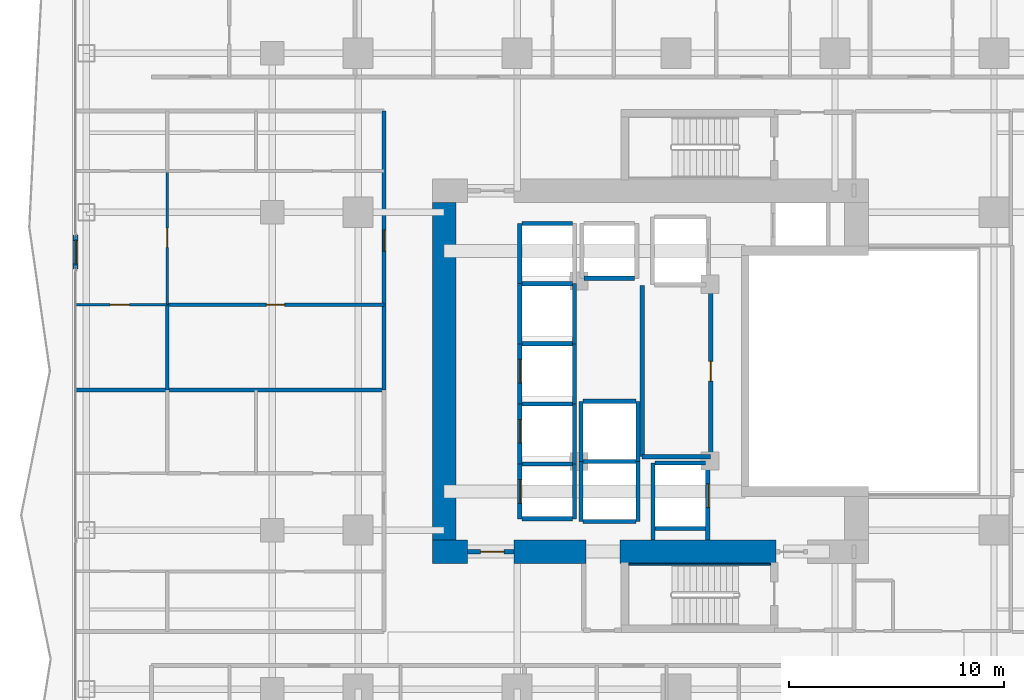
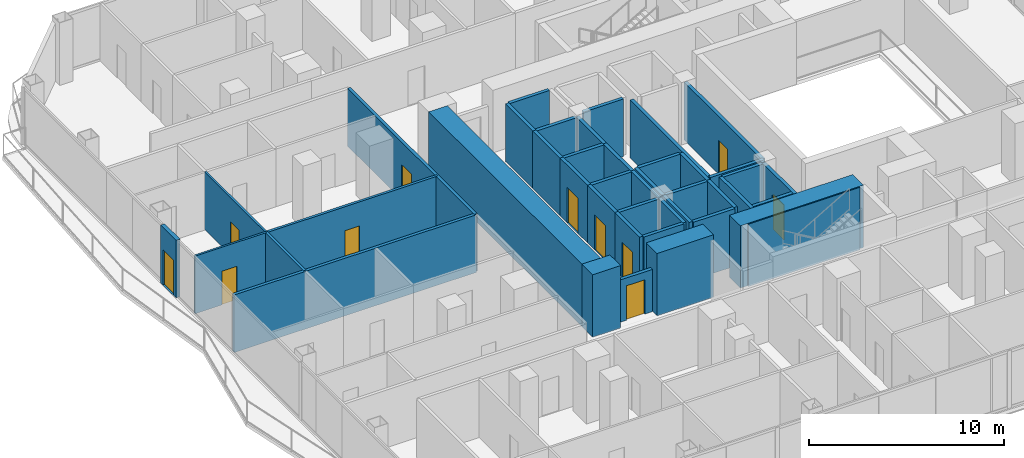
# One storey, part 20 of 29: 43 walls, 11 doors, 11 openings.
"""IFC4 building model written with IfcOpenShell, lengths in metres."""

from ifc_helpers import new_model, si_unit, direction, frame, frame_2d, origin, place, context, subcontext, project, spatial, rectangle, extrude, material, layer, layer_set, type_object, element, fill, save


model = new_model("IFC4")

# Units and contexts
model_context = context("Model", 3, precision=1e-05, world=origin(), true_north=direction((0.0, 1.0)))
body_context = subcontext(model_context, "Body", "Model", "MODEL_VIEW")
ifc_project = project(units=[si_unit("LENGTHUNIT", "METRE"), si_unit("AREAUNIT", "SQUARE_METRE"), si_unit("VOLUMEUNIT", "CUBIC_METRE"), si_unit("PLANEANGLEUNIT", "RADIAN"), si_unit("MASSUNIT", "GRAM", prefix="KILO")], contexts=[model_context])

# Site, building, storey
site_placement = place(None, origin())
site = spatial("IfcSite", under=ifc_project, at=site_placement, CompositionType="ELEMENT")
building_placement = place(site_placement, origin())
building = spatial("IfcBuilding", under=site, at=building_placement, Name="Khorvyn Point Tower", CompositionType="ELEMENT")
storey_placement = place(building_placement, frame((0.0, 0.0, 73.5)))
storey = spatial("IfcBuildingStorey", under=building, at=storey_placement, Name="L19", CompositionType="ELEMENT", Elevation=73.5)

# Wall, opening, door
ifc_material_1 = material(Name="Double acoustic gypsum on twin steel stud", Category="steel")
ifc_layer_1 = layer(ifc_material_1, 0.179931640625)
ifc_layer_set_1 = layer_set([ifc_layer_1], Name="Acoustic Double-Stud Apartment Demising Wall 180")
wall_type_1 = type_object("IfcWallType", Name="Acoustic Double-Stud Apartment Demising Wall 180", PredefinedType="PARTITIONING", material=ifc_layer_set_1)
wall_1_placement = place(storey_placement, frame((-13.60009765625, -0.873046875, 0.0), z_axis=(0.0, 0.0, 1.0), x_axis=(0.0, 1.0, 0.0)))
wall_1 = element("IfcWall", 1, at=wall_1_placement, inside=storey, type_object=wall_type_1, Name="Wall", PredefinedType="PARTITIONING", context=body_context, shape_type="SweptSolid", body=[
    extrude(rectangle(XDim=12.9931640625, YDim=0.179931640625, at=frame_2d((6.49658203125, 0.0))), origin(), (0.0, 0.0, 1.0), 3.60009765625),
])
opening_1_placement = place(wall_1_placement, frame((6.445556640625, 0.0, 0.0)))
opening_1 = element("IfcOpeningElement", 2, at=opening_1_placement, cuts=wall_1, Name="Opening ID-AP60", PredefinedType="OPENING", context=body_context, shape_type="SweptSolid", body=[
    extrude(rectangle(XDim=1.0, YDim=2.199951171875, at=frame_2d((0.5, 1.10009765625))), frame((0.0, 0.099853515625, 0.0), z_axis=(0.0, -1.0, 0.0), x_axis=(1.0, 0.0, 0.0)), (0.0, 0.0, 1.0), 0.199951171875),
])
ifc_material_2 = material(Name="Engineered hardwood fire-rated leaf", Category="wood")
door_type_1 = type_object("IfcDoorType", Name="Acoustic Solid-Core Timber Apartment Entrance Door 1000x2200", OperationType="NOTDEFINED", PredefinedType="DOOR", material=ifc_material_2)
door_1_placement = place(opening_1_placement, origin())
door_1 = element("IfcDoor", 3, at=door_1_placement, inside=storey, type_object=door_type_1, Name="Door", OperationType="SINGLE_SWING_LEFT", OverallHeight=2.199951171875, OverallWidth=1.0, PredefinedType="DOOR", context=body_context, shape_type="SweptSolid", body=[
    extrude(rectangle(XDim=1.0, YDim=2.199951171875, at=frame_2d((0.5, 1.10009765625))), frame((0.0, 0.02490234375, 0.0), z_axis=(0.0, -1.0, 0.0), x_axis=(1.0, 0.0, 0.0)), (0.0, 0.0, 1.0), 0.050048828125),
])
fill(opening_1, door_1)

# Wall
wall_2_placement = place(storey_placement, frame((-27.929931640625, -0.873046875, 0.0), z_axis=(0.0, 0.0, 1.0), x_axis=(1.0, 0.0, 0.0)))
element("IfcWall", 4, at=wall_2_placement, inside=storey, type_object=wall_type_1, Name="Wall", PredefinedType="PARTITIONING", context=body_context, shape_type="SweptSolid", body=[
    extrude(rectangle(XDim=14.329833984375, YDim=0.179931640625, at=frame_2d((7.1650390625, 0.0))), origin(), (0.0, 0.0, 1.0), 3.60009765625),
])

# Wall, opening, door
ifc_material_3 = material(Name="Pale anodised aluminium rainscreen on steel stud", Category="steel")
ifc_layer_2 = layer(ifc_material_3, 0.239990234375)
ifc_layer_set_2 = layer_set([ifc_layer_2], Name="Anodised Aluminium Insulated Corner Spandrel Wall 240")
wall_type_2 = type_object("IfcWallType", Name="Anodised Aluminium Insulated Corner Spandrel Wall 240", PredefinedType="SOLIDWALL", material=ifc_layer_set_2)
wall_3_placement = place(storey_placement, frame((-27.949951171875, 4.7490234375, 0.0), z_axis=(0.0, 0.0, 1.0), x_axis=(0.0, 1.0, 0.0)))
wall_3 = element("IfcWall", 5, at=wall_3_placement, inside=storey, type_object=wall_type_2, Name="L19 West Outdoor Threshold Wall", PredefinedType="SOLIDWALL", context=body_context, shape_type="SweptSolid", body=[
    extrude(rectangle(XDim=1.580078125, YDim=0.239990234375, at=frame_2d((0.7900390625, 0.0))), origin(), (0.0, 0.0, 1.0), 3.60009765625),
])
opening_2_placement = place(wall_3_placement, frame((0.239990234375, 0.0, 0.0)))
opening_2 = element("IfcOpeningElement", 6, at=opening_2_placement, cuts=wall_3, Name="Opening BD-1122", PredefinedType="OPENING", context=body_context, shape_type="SweptSolid", body=[
    extrude(rectangle(XDim=1.10009765625, YDim=2.199951171875, at=frame_2d((0.550048828125, 1.10009765625))), frame((0.0, 0.1298828125, 0.0), z_axis=(0.0, -1.0, 0.0), x_axis=(1.0, 0.0, 0.0)), (0.0, 0.0, 1.0), 0.260009765625),
])
ifc_material_4 = material(Name="Anodised aluminium 6063-T6 and laminated Low-E glass", Category="aluminium")
door_type_2 = type_object("IfcDoorType", Name="Glazed Balcony and Terrace Threshold Door 1100x2200", OperationType="NOTDEFINED", PredefinedType="DOOR", material=ifc_material_4)
door_2_placement = place(opening_2_placement, origin())
door_2 = element("IfcDoor", 7, at=door_2_placement, inside=storey, type_object=door_type_2, Name="L19 West Glazed Balcony Outdoor Door", OperationType="SINGLE_SWING_RIGHT", OverallHeight=2.199951171875, OverallWidth=1.10009765625, PredefinedType="DOOR", context=body_context, shape_type="SweptSolid", body=[
    extrude(rectangle(XDim=1.10009765625, YDim=2.199951171875, at=frame_2d((0.550048828125, 1.10009765625))), frame((0.0, 0.02490234375, 0.0), z_axis=(0.0, -1.0, 0.0), x_axis=(1.0, 0.0, 0.0)), (0.0, 0.0, 1.0), 0.050048828125),
])
fill(opening_2, door_2)

ifc_material_5 = material(Name="Concrete C40/50", Category="concrete")
ifc_layer_3 = layer(ifc_material_5, 0.199951171875)
ifc_layer_set_3 = layer_set([ifc_layer_3], Name="Concrete C40/50 Fire-Lobby Compartment Wall 200")
wall_type_3 = type_object("IfcWallType", Name="Concrete C40/50 Fire-Lobby Compartment Wall 200", PredefinedType="SOLIDWALL", material=ifc_layer_set_3)
wall_4_placement = place(storey_placement, frame((-9.699951171875, -8.39990234375, 0.0), z_axis=(0.0, 0.0, 1.0), x_axis=(1.0, 0.0, 0.0)))
wall_4 = element("IfcWall", 8, at=wall_4_placement, inside=storey, type_object=wall_type_3, Name="Wall", PredefinedType="SOLIDWALL", context=body_context, shape_type="SweptSolid", body=[
    extrude(rectangle(XDim=2.14990234375, YDim=0.199951171875, at=frame_2d((1.074951171875, 0.0))), origin(), (0.0, 0.0, 1.0), 2.639892578125),
])
opening_3_placement = place(wall_4_placement, frame((0.597900390625, 0.0, 0.0)))
opening_3 = element("IfcOpeningElement", 9, at=opening_3_placement, cuts=wall_4, Name="Opening ID-FL90", PredefinedType="OPENING", context=body_context, shape_type="SweptSolid", body=[
    extrude(rectangle(XDim=1.10009765625, YDim=2.14990234375, at=frame_2d((0.550048828125, 1.074951171875))), frame((0.0, 0.10986328125, 0.0), z_axis=(0.0, -1.0, 0.0), x_axis=(1.0, 0.0, 0.0)), (0.0, 0.0, 1.0), 0.219970703125),
])
ifc_material_6 = material(Name="Galvanised powder-coated steel", Category="steel")
door_type_3 = type_object("IfcDoorType", Name="Fire-Rated Steel Lobby and Stair Door 1100x2150", OperationType="NOTDEFINED", PredefinedType="DOOR", material=ifc_material_6)
door_3_placement = place(opening_3_placement, origin())
door_3 = element("IfcDoor", 10, at=door_3_placement, inside=storey, type_object=door_type_3, Name="Door", OperationType="SINGLE_SWING_RIGHT", OverallHeight=2.14990234375, OverallWidth=1.10009765625, PredefinedType="DOOR", context=body_context, shape_type="SweptSolid", body=[
    extrude(rectangle(XDim=1.10009765625, YDim=2.14990234375, at=frame_2d((0.550048828125, 1.074951171875))), frame((0.0, 0.02490234375, 0.0), z_axis=(0.0, -1.0, 0.0), x_axis=(1.0, 0.0, 0.0)), (0.0, 0.0, 1.0), 0.050048828125),
])
fill(opening_3, door_3)

wall_5_placement = place(storey_placement, frame((1.610107421875, -3.97998046875, 0.0), z_axis=(0.0, 0.0, 1.0), x_axis=(0.0, 1.0, 0.0)))
wall_5 = element("IfcWall", 11, at=wall_5_placement, inside=storey, type_object=wall_type_3, Name="Wall", PredefinedType="SOLIDWALL", context=body_context, shape_type="SweptSolid", body=[
    extrude(rectangle(XDim=7.9599609375, YDim=0.199951171875, at=frame_2d((3.97998046875, 0.0))), origin(), (0.0, 0.0, 1.0), 3.60009765625),
])
opening_4_placement = place(wall_5_placement, frame((3.52001953125, 0.0, 0.0)))
opening_4 = element("IfcOpeningElement", 12, at=opening_4_placement, cuts=wall_5, Name="Opening ID-RS60", PredefinedType="OPENING", context=body_context, shape_type="SweptSolid", body=[
    extrude(rectangle(XDim=0.919921875, YDim=2.10009765625, at=frame_2d((0.4599609375, 1.050048828125))), frame((0.0, 0.10986328125, 0.0), z_axis=(0.0, -1.0, 0.0), x_axis=(1.0, 0.0, 0.0)), (0.0, 0.0, 1.0), 0.219970703125),
])
door_type_4 = type_object("IfcDoorType", Name="Fire-Rated Riser and Store Steel Door 920x2100", OperationType="NOTDEFINED", PredefinedType="DOOR", material=ifc_material_6)
door_4_placement = place(opening_4_placement, origin())
door_4 = element("IfcDoor", 13, at=door_4_placement, inside=storey, type_object=door_type_4, Name="Door", OperationType="SINGLE_SWING_LEFT", OverallHeight=2.10009765625, OverallWidth=0.919921875, PredefinedType="DOOR", context=body_context, shape_type="SweptSolid", body=[
    extrude(rectangle(XDim=0.919921875, YDim=2.10009765625, at=frame_2d((0.4599609375, 1.050048828125))), frame((0.0, 0.02490234375, 0.0), z_axis=(0.0, -1.0, 0.0), x_axis=(1.0, 0.0, 0.0)), (0.0, 0.0, 1.0), 0.050048828125),
])
fill(opening_4, door_4)

# Walls
wall_6_placement = place(storey_placement, frame((-1.580078125, -3.97998046875, 0.0), z_axis=(0.0, 0.0, 1.0), x_axis=(0.0, 1.0, 0.0)))
element("IfcWall", 14, at=wall_6_placement, inside=storey, type_object=wall_type_3, Name="Wall", PredefinedType="SOLIDWALL", context=body_context, shape_type="SweptSolid", body=[
    extrude(rectangle(XDim=7.9599609375, YDim=0.199951171875, at=frame_2d((3.97998046875, 0.0))), origin(), (0.0, 0.0, 1.0), 3.60009765625),
])
wall_7_placement = place(storey_placement, frame((-1.580078125, -3.97998046875, 0.0), z_axis=(0.0, 0.0, 1.0), x_axis=(1.0, 0.0, 0.0)))
element("IfcWall", 15, at=wall_7_placement, inside=storey, type_object=wall_type_3, Name="Wall", PredefinedType="SOLIDWALL", context=body_context, shape_type="SweptSolid", body=[
    extrude(rectangle(XDim=3.190185546875, YDim=0.199951171875, at=frame_2d((1.59521484375, 0.0))), origin(), (0.0, 0.0, 1.0), 3.60009765625),
])
ifc_layer_4 = layer(ifc_material_5, 0.25)
ifc_layer_set_4 = layer_set([ifc_layer_4], Name="Concrete C40/50 Stair Inner Cheek Structural Wall 250")
wall_type_4 = type_object("IfcWallType", Name="Concrete C40/50 Stair Inner Cheek Structural Wall 250", PredefinedType="SHEAR", material=ifc_layer_set_4)
wall_8_placement = place(storey_placement, frame((-2.199951171875, -8.987548828125, 0.0), z_axis=(0.0, 0.0, 1.0), x_axis=(1.0, 0.0, 0.0)))
element("IfcWall", 16, at=wall_8_placement, inside=storey, type_object=wall_type_4, Name="Wall", PredefinedType="SHEAR", context=body_context, shape_type="SweptSolid", body=[
    extrude(rectangle(XDim=6.599853515625, YDim=0.074951171875, at=frame_2d((3.2998046875, 0.0))), origin(), (0.0, 0.0, 1.0), 3.89990234375),
])

# Wall, opening, door
ifc_layer_5 = layer(ifc_material_5, 0.199951171875)
ifc_layer_set_5 = layer_set([ifc_layer_5], Name="Concrete C40/50 Structural Hoistway and Stair Shaft Wall 200")
wall_type_5 = type_object("IfcWallType", Name="Concrete C40/50 Structural Hoistway and Stair Shaft Wall 200", PredefinedType="SHEAR", material=ifc_layer_set_5)
wall_9_placement = place(storey_placement, frame((-7.27490234375, -6.875, 0.0), z_axis=(0.0, 0.0, 1.0), x_axis=(0.0, 1.0, 0.0)))
wall_9 = element("IfcWall", 17, at=wall_9_placement, inside=storey, type_object=wall_type_5, Name="Wall", PredefinedType="SHEAR", context=body_context, shape_type="SweptSolid", body=[
    extrude(rectangle(XDim=2.550048828125, YDim=0.199951171875, at=frame_2d((1.27490234375, 0.0))), origin(), (0.0, 0.0, 1.0), 3.60009765625),
])
opening_5_placement = place(wall_9_placement, frame((0.72509765625, 0.0, 0.0)))
opening_5 = element("IfcOpeningElement", 18, at=opening_5_placement, cuts=wall_9, Name="Opening LD-1122", PredefinedType="OPENING", context=body_context, shape_type="SweptSolid", body=[
    extrude(rectangle(XDim=1.10009765625, YDim=2.199951171875, at=frame_2d((0.550048828125, 1.10009765625))), frame((0.0, 0.10986328125, 0.0), z_axis=(0.0, -1.0, 0.0), x_axis=(1.0, 0.0, 0.0)), (0.0, 0.0, 1.0), 0.219970703125),
])
ifc_material_7 = material(Name="Stainless steel 1.4301", Category="steel")
door_type_5 = type_object("IfcDoorType", Name="Stainless Steel Automatic Sliding Lift Landing Door 1100x2200", OperationType="SLIDING_TO_LEFT", PredefinedType="DOOR", material=ifc_material_7)
door_5_placement = place(opening_5_placement, origin())
door_5 = element("IfcDoor", 19, at=door_5_placement, inside=storey, type_object=door_type_5, Name="L19 RL-01 Sliding Lift Landing Door", OperationType="SLIDING_TO_LEFT", OverallHeight=2.199951171875, OverallWidth=1.10009765625, PredefinedType="DOOR", context=body_context, shape_type="SweptSolid", body=[
    extrude(rectangle(XDim=1.10009765625, YDim=2.199951171875, at=frame_2d((0.550048828125, 1.10009765625))), frame((0.0, 0.02490234375, 0.0), z_axis=(0.0, -1.0, 0.0), x_axis=(1.0, 0.0, 0.0)), (0.0, 0.0, 1.0), 0.050048828125),
])
fill(opening_5, door_5)

# Walls
wall_10_placement = place(storey_placement, frame((-4.72509765625, -6.875, 0.0), z_axis=(0.0, 0.0, 1.0), x_axis=(0.0, 1.0, 0.0)))
element("IfcWall", 20, at=wall_10_placement, inside=storey, type_object=wall_type_5, Name="Wall", PredefinedType="SHEAR", context=body_context, shape_type="SweptSolid", body=[
    extrude(rectangle(XDim=2.550048828125, YDim=0.199951171875, at=frame_2d((1.27490234375, 0.0))), origin(), (0.0, 0.0, 1.0), 3.60009765625),
])
for number, where, z_axis, x_axis, name in (
    (21, (-7.175048828125, -6.875, 0.0), (0.0, 0.0, 1.0), (1.0, 0.0, 0.0), "Wall"),
    (22, (-7.175048828125, -4.324951171875, 0.0), (0.0, 0.0, 1.0), (1.0, 0.0, 0.0), "Wall"),
):
    element("IfcWall", number, at=place(storey_placement, frame(where, z_axis=z_axis, x_axis=x_axis)), inside=storey, type_object=wall_type_5, Name=name, PredefinedType="SHEAR", context=body_context, shape_type="SweptSolid", body=[
        extrude(rectangle(XDim=2.35009765625, YDim=0.199951171875, at=frame_2d((1.175048828125, 0.0))), origin(), (0.0, 0.0, 1.0), 3.60009765625),
    ])

# Wall, opening, door
wall_11_placement = place(storey_placement, frame((-7.27490234375, -4.324951171875, 0.0), z_axis=(0.0, 0.0, 1.0), x_axis=(0.0, 1.0, 0.0)))
wall_11 = element("IfcWall", 23, at=wall_11_placement, inside=storey, type_object=wall_type_5, Name="Wall", PredefinedType="SHEAR", context=body_context, shape_type="SweptSolid", body=[
    extrude(rectangle(XDim=2.800048828125, YDim=0.199951171875, at=frame_2d((1.39990234375, 0.0))), origin(), (0.0, 0.0, 1.0), 3.60009765625),
])
opening_6_placement = place(wall_11_placement, frame((0.97509765625, 0.0, 0.0)))
opening_6 = element("IfcOpeningElement", 24, at=opening_6_placement, cuts=wall_11, Name="Opening LD-1122", PredefinedType="OPENING", context=body_context, shape_type="SweptSolid", body=[
    extrude(rectangle(XDim=1.10009765625, YDim=2.199951171875, at=frame_2d((0.550048828125, 1.10009765625))), frame((0.0, 0.10986328125, 0.0), z_axis=(0.0, -1.0, 0.0), x_axis=(1.0, 0.0, 0.0)), (0.0, 0.0, 1.0), 0.219970703125),
])
door_6_placement = place(opening_6_placement, origin())
door_6 = element("IfcDoor", 25, at=door_6_placement, inside=storey, type_object=door_type_5, Name="L19 RL-02 Sliding Lift Landing Door", OperationType="SLIDING_TO_LEFT", OverallHeight=2.199951171875, OverallWidth=1.10009765625, PredefinedType="DOOR", context=body_context, shape_type="SweptSolid", body=[
    extrude(rectangle(XDim=1.10009765625, YDim=2.199951171875, at=frame_2d((0.550048828125, 1.10009765625))), frame((0.0, 0.02490234375, 0.0), z_axis=(0.0, -1.0, 0.0), x_axis=(1.0, 0.0, 0.0)), (0.0, 0.0, 1.0), 0.050048828125),
])
fill(opening_6, door_6)

# Walls
wall_12_placement = place(storey_placement, frame((-4.72509765625, -4.324951171875, 0.0), z_axis=(0.0, 0.0, 1.0), x_axis=(0.0, 1.0, 0.0)))
element("IfcWall", 26, at=wall_12_placement, inside=storey, type_object=wall_type_5, Name="Wall", PredefinedType="SHEAR", context=body_context, shape_type="SweptSolid", body=[
    extrude(rectangle(XDim=2.800048828125, YDim=0.199951171875, at=frame_2d((1.39990234375, 0.0))), origin(), (0.0, 0.0, 1.0), 3.60009765625),
])
wall_13_placement = place(storey_placement, frame((-7.175048828125, -1.52490234375, 0.0), z_axis=(0.0, 0.0, 1.0), x_axis=(1.0, 0.0, 0.0)))
element("IfcWall", 27, at=wall_13_placement, inside=storey, type_object=wall_type_5, Name="Wall", PredefinedType="SHEAR", context=body_context, shape_type="SweptSolid", body=[
    extrude(rectangle(XDim=2.35009765625, YDim=0.199951171875, at=frame_2d((1.175048828125, 0.0))), origin(), (0.0, 0.0, 1.0), 3.60009765625),
])

# Wall, opening, door
wall_14_placement = place(storey_placement, frame((-7.27490234375, -1.52490234375, 0.0), z_axis=(0.0, 0.0, 1.0), x_axis=(0.0, 1.0, 0.0)))
wall_14 = element("IfcWall", 28, at=wall_14_placement, inside=storey, type_object=wall_type_5, Name="Wall", PredefinedType="SHEAR", context=body_context, shape_type="SweptSolid", body=[
    extrude(rectangle(XDim=2.7998046875, YDim=0.199951171875, at=frame_2d((1.39990234375, 0.0))), origin(), (0.0, 0.0, 1.0), 3.60009765625),
])
opening_7_placement = place(wall_14_placement, frame((0.97509765625, 0.0, 0.0)))
opening_7 = element("IfcOpeningElement", 29, at=opening_7_placement, cuts=wall_14, Name="Opening LD-1122", PredefinedType="OPENING", context=body_context, shape_type="SweptSolid", body=[
    extrude(rectangle(XDim=1.10009765625, YDim=2.199951171875, at=frame_2d((0.550048828125, 1.10009765625))), frame((0.0, 0.10986328125, 0.0), z_axis=(0.0, -1.0, 0.0), x_axis=(1.0, 0.0, 0.0)), (0.0, 0.0, 1.0), 0.219970703125),
])
door_7_placement = place(opening_7_placement, origin())
door_7 = element("IfcDoor", 30, at=door_7_placement, inside=storey, type_object=door_type_5, Name="L19 RL-03 Sliding Lift Landing Door", OperationType="SLIDING_TO_LEFT", OverallHeight=2.199951171875, OverallWidth=1.10009765625, PredefinedType="DOOR", context=body_context, shape_type="SweptSolid", body=[
    extrude(rectangle(XDim=1.10009765625, YDim=2.199951171875, at=frame_2d((0.550048828125, 1.10009765625))), frame((0.0, 0.02490234375, 0.0), z_axis=(0.0, -1.0, 0.0), x_axis=(1.0, 0.0, 0.0)), (0.0, 0.0, 1.0), 0.050048828125),
])
fill(opening_7, door_7)

# Walls
wall_15_placement = place(storey_placement, frame((-4.72509765625, -1.52490234375, 0.0), z_axis=(0.0, 0.0, 1.0), x_axis=(0.0, 1.0, 0.0)))
element("IfcWall", 31, at=wall_15_placement, inside=storey, type_object=wall_type_5, Name="Wall", PredefinedType="SHEAR", context=body_context, shape_type="SweptSolid", body=[
    extrude(rectangle(XDim=2.7998046875, YDim=0.199951171875, at=frame_2d((1.39990234375, 0.0))), origin(), (0.0, 0.0, 1.0), 3.60009765625),
])
wall_16_placement = place(storey_placement, frame((-7.175048828125, 1.27490234375, 0.0), z_axis=(0.0, 0.0, 1.0), x_axis=(1.0, 0.0, 0.0)))
element("IfcWall", 32, at=wall_16_placement, inside=storey, type_object=wall_type_5, Name="Wall", PredefinedType="SHEAR", context=body_context, shape_type="SweptSolid", body=[
    extrude(rectangle(XDim=2.35009765625, YDim=0.199951171875, at=frame_2d((1.175048828125, 0.0))), origin(), (0.0, 0.0, 1.0), 3.60009765625),
])
for number, where, z_axis, x_axis, name in (
    (33, (-7.27490234375, 1.27490234375, 0.0), (0.0, 0.0, 1.0), (0.0, 1.0, 0.0), "Wall"),
    (34, (-4.72509765625, 1.27490234375, 0.0), (0.0, 0.0, 1.0), (0.0, 1.0, 0.0), "Wall"),
):
    element("IfcWall", number, at=place(storey_placement, frame(where, z_axis=z_axis, x_axis=x_axis)), inside=storey, type_object=wall_type_5, Name=name, PredefinedType="SHEAR", context=body_context, shape_type="SweptSolid", body=[
        extrude(rectangle(XDim=2.800048828125, YDim=0.199951171875, at=frame_2d((1.39990234375, 0.0))), origin(), (0.0, 0.0, 1.0), 3.60009765625),
    ])
wall_17_placement = place(storey_placement, frame((-7.175048828125, 4.074951171875, 0.0), z_axis=(0.0, 0.0, 1.0), x_axis=(1.0, 0.0, 0.0)))
element("IfcWall", 35, at=wall_17_placement, inside=storey, type_object=wall_type_5, Name="Wall", PredefinedType="SHEAR", context=body_context, shape_type="SweptSolid", body=[
    extrude(rectangle(XDim=2.35009765625, YDim=0.199951171875, at=frame_2d((1.175048828125, 0.0))), origin(), (0.0, 0.0, 1.0), 3.60009765625),
])
wall_18_placement = place(storey_placement, frame((-7.27490234375, 4.074951171875, 0.0), z_axis=(0.0, 0.0, 1.0), x_axis=(0.0, 1.0, 0.0)))
element("IfcWall", 36, at=wall_18_placement, inside=storey, type_object=wall_type_5, Name="Wall", PredefinedType="SHEAR", context=body_context, shape_type="SweptSolid", body=[
    extrude(rectangle(XDim=2.800048828125, YDim=0.199951171875, at=frame_2d((1.39990234375, 0.0))), origin(), (0.0, 0.0, 1.0), 3.60009765625),
])
wall_19_placement = place(storey_placement, frame((-7.175048828125, 6.875, 0.0), z_axis=(0.0, 0.0, 1.0), x_axis=(1.0, 0.0, 0.0)))
element("IfcWall", 37, at=wall_19_placement, inside=storey, type_object=wall_type_5, Name="Wall", PredefinedType="SHEAR", context=body_context, shape_type="SweptSolid", body=[
    extrude(rectangle(XDim=2.35009765625, YDim=0.199951171875, at=frame_2d((1.175048828125, 0.0))), origin(), (0.0, 0.0, 1.0), 3.60009765625),
])
wall_20_placement = place(storey_placement, frame((-4.27490234375, 4.324951171875, 0.0), z_axis=(0.0, 0.0, 1.0), x_axis=(1.0, 0.0, 0.0)))
element("IfcWall", 38, at=wall_20_placement, inside=storey, type_object=wall_type_5, Name="Wall", PredefinedType="SHEAR", context=body_context, shape_type="SweptSolid", body=[
    extrude(rectangle(XDim=2.349853515625, YDim=0.199951171875, at=frame_2d((1.1748046875, 0.0))), origin(), (0.0, 0.0, 1.0), 3.60009765625),
])
for number, where, z_axis, x_axis, name in (
    (39, (-4.425048828125, -7.0, 0.0), (0.0, 0.0, 1.0), (0.0, 1.0, 0.0), "Wall"),
    (40, (-1.77490234375, -7.0, 0.0), (0.0, 0.0, 1.0), (0.0, 1.0, 0.0), "Wall"),
):
    element("IfcWall", number, at=place(storey_placement, frame(where, z_axis=z_axis, x_axis=x_axis)), inside=storey, type_object=wall_type_5, Name=name, PredefinedType="SHEAR", context=body_context, shape_type="SweptSolid", body=[
        extrude(rectangle(XDim=2.800048828125, YDim=0.199951171875, at=frame_2d((1.39990234375, 0.0))), origin(), (0.0, 0.0, 1.0), 3.60009765625),
    ])
for number, where, z_axis, x_axis, name in (
    (41, (-4.324951171875, -7.0, 0.0), (0.0, 0.0, 1.0), (1.0, 0.0, 0.0), "Wall"),
    (42, (-4.324951171875, -4.199951171875, 0.0), (0.0, 0.0, 1.0), (1.0, 0.0, 0.0), "Wall"),
):
    element("IfcWall", number, at=place(storey_placement, frame(where, z_axis=z_axis, x_axis=x_axis)), inside=storey, type_object=wall_type_5, Name=name, PredefinedType="SHEAR", context=body_context, shape_type="SweptSolid", body=[
        extrude(rectangle(XDim=2.449951171875, YDim=0.199951171875, at=frame_2d((1.22509765625, 0.0))), origin(), (0.0, 0.0, 1.0), 3.60009765625),
    ])
for number, where, z_axis, x_axis, name in (
    (43, (-4.425048828125, -4.199951171875, 0.0), (0.0, 0.0, 1.0), (0.0, 1.0, 0.0), "Wall"),
    (44, (-1.77490234375, -4.199951171875, 0.0), (0.0, 0.0, 1.0), (0.0, 1.0, 0.0), "Wall"),
):
    element("IfcWall", number, at=place(storey_placement, frame(where, z_axis=z_axis, x_axis=x_axis)), inside=storey, type_object=wall_type_5, Name=name, PredefinedType="SHEAR", context=body_context, shape_type="SweptSolid", body=[
        extrude(rectangle(XDim=2.800048828125, YDim=0.199951171875, at=frame_2d((1.39990234375, 0.0))), origin(), (0.0, 0.0, 1.0), 3.60009765625),
    ])
wall_21_placement = place(storey_placement, frame((-4.324951171875, -1.39990234375, 0.0), z_axis=(0.0, 0.0, 1.0), x_axis=(1.0, 0.0, 0.0)))
element("IfcWall", 45, at=wall_21_placement, inside=storey, type_object=wall_type_5, Name="Wall", PredefinedType="SHEAR", context=body_context, shape_type="SweptSolid", body=[
    extrude(rectangle(XDim=2.449951171875, YDim=0.199951171875, at=frame_2d((1.22509765625, 0.0))), origin(), (0.0, 0.0, 1.0), 3.60009765625),
])
wall_22_placement = place(storey_placement, frame((-1.074951171875, -7.85009765625, 0.0), z_axis=(0.0, 0.0, 1.0), x_axis=(0.0, 1.0, 0.0)))
element("IfcWall", 46, at=wall_22_placement, inside=storey, type_object=wall_type_5, Name="Wall", PredefinedType="SHEAR", context=body_context, shape_type="SweptSolid", body=[
    extrude(rectangle(XDim=3.5751953125, YDim=0.199951171875, at=frame_2d((1.78759765625, 0.0))), origin(), (0.0, 0.0, 1.0), 3.60009765625),
])

# Wall, opening, door
wall_23_placement = place(storey_placement, frame((1.47509765625, -7.85009765625, 0.0), z_axis=(0.0, 0.0, 1.0), x_axis=(0.0, 1.0, 0.0)))
wall_23 = element("IfcWall", 47, at=wall_23_placement, inside=storey, type_object=wall_type_5, Name="Wall", PredefinedType="SHEAR", context=body_context, shape_type="SweptSolid", body=[
    extrude(rectangle(XDim=3.5751953125, YDim=0.199951171875, at=frame_2d((1.78759765625, 0.0))), origin(), (0.0, 0.0, 1.0), 3.60009765625),
])
opening_8_placement = place(wall_23_placement, frame((1.5, 0.0, 0.0)))
opening_8 = element("IfcOpeningElement", 48, at=opening_8_placement, cuts=wall_23, Name="Opening LD-1122", PredefinedType="OPENING", context=body_context, shape_type="SweptSolid", body=[
    extrude(rectangle(XDim=1.10009765625, YDim=2.199951171875, at=frame_2d((0.550048828125, 1.10009765625))), frame((0.0, 0.10986328125, 0.0), z_axis=(0.0, -1.0, 0.0), x_axis=(1.0, 0.0, 0.0)), (0.0, 0.0, 1.0), 0.219970703125),
])
door_8_placement = place(opening_8_placement, origin())
door_8 = element("IfcDoor", 49, at=door_8_placement, inside=storey, type_object=door_type_5, Name="L19 FF-01 Sliding Lift Landing Door", OperationType="SLIDING_TO_LEFT", OverallHeight=2.199951171875, OverallWidth=1.10009765625, PredefinedType="DOOR", context=body_context, shape_type="SweptSolid", body=[
    extrude(rectangle(XDim=1.10009765625, YDim=2.199951171875, at=frame_2d((0.550048828125, 1.10009765625))), frame((0.0, 0.02490234375, 0.0), z_axis=(0.0, -1.0, 0.0), x_axis=(1.0, 0.0, 0.0)), (0.0, 0.0, 1.0), 0.050048828125),
])
fill(opening_8, door_8)

# Walls
for number, where, z_axis, x_axis, name in (
    (50, (-0.97509765625, -7.324951171875, 0.0), (0.0, 0.0, 1.0), (1.0, 0.0, 0.0), "Wall"),
    (51, (-0.97509765625, -4.27490234375, 0.0), (0.0, 0.0, 1.0), (1.0, 0.0, 0.0), "Wall"),
):
    element("IfcWall", number, at=place(storey_placement, frame(where, z_axis=z_axis, x_axis=x_axis)), inside=storey, type_object=wall_type_5, Name=name, PredefinedType="SHEAR", context=body_context, shape_type="SweptSolid", body=[
        extrude(rectangle(XDim=2.35009765625, YDim=0.199951171875, at=frame_2d((1.175048828125, 0.0))), origin(), (0.0, 0.0, 1.0), 3.60009765625),
    ])
ifc_material_8 = material(Name="Concrete C50/60", Category="concrete")
ifc_layer_6 = layer(ifc_material_8, 1.10009765625)
ifc_layer_set_6 = layer_set([ifc_layer_6], Name="Concrete C50/60 Core Shear Wall 1100")
wall_type_6 = type_object("IfcWallType", Name="Concrete C50/60 Core Shear Wall 1100", PredefinedType="SHEAR", material=ifc_layer_set_6)
wall_24_placement = place(storey_placement, frame((-11.35009765625, -8.39990234375, 0.0), z_axis=(0.0, 0.0, 1.0), x_axis=(1.0, 0.0, 0.0)))
element("IfcWall", 52, at=wall_24_placement, inside=storey, type_object=wall_type_6, Name="Wall", PredefinedType="SHEAR", context=body_context, shape_type="SweptSolid", body=[
    extrude(rectangle(XDim=1.650146484375, YDim=1.10009765625, at=frame_2d((0.8251953125, 0.0))), origin(), (0.0, 0.0, 1.0), 3.89990234375),
])
wall_25_placement = place(storey_placement, frame((-7.550048828125, -8.39990234375, 0.0), z_axis=(0.0, 0.0, 1.0), x_axis=(1.0, 0.0, 0.0)))
element("IfcWall", 53, at=wall_25_placement, inside=storey, type_object=wall_type_6, Name="Wall", PredefinedType="SHEAR", context=body_context, shape_type="SweptSolid", body=[
    extrude(rectangle(XDim=3.35009765625, YDim=1.10009765625, at=frame_2d((1.675048828125, 0.0))), origin(), (0.0, 0.0, 1.0), 3.89990234375),
])
wall_26_placement = place(storey_placement, frame((-2.6201171875, -8.39990234375, 0.0), z_axis=(0.0, 0.0, 1.0), x_axis=(1.0, 0.0, 0.0)))
element("IfcWall", 54, at=wall_26_placement, inside=storey, type_object=wall_type_6, Name="Wall", PredefinedType="SHEAR", context=body_context, shape_type="SweptSolid", body=[
    extrude(rectangle(XDim=7.27001953125, YDim=1.10009765625, at=frame_2d((3.635009765625, 0.0))), origin(), (0.0, 0.0, 1.0), 3.89990234375),
])
wall_27_placement = place(storey_placement, frame((-10.800048828125, -7.85009765625, 0.0), z_axis=(0.0, 0.0, 1.0), x_axis=(0.0, 1.0, 0.0)))
element("IfcWall", 55, at=wall_27_placement, inside=storey, type_object=wall_type_6, Name="Wall", PredefinedType="SHEAR", context=body_context, shape_type="SweptSolid", body=[
    extrude(rectangle(XDim=15.7001953125, YDim=1.10009765625, at=frame_2d((7.85009765625, 0.0))), origin(), (0.0, 0.0, 1.0), 3.89990234375),
])

# Wall, opening, door
ifc_material_9 = material(Name="Gypsum plasterboard on steel stud", Category="steel")
ifc_layer_7 = layer(ifc_material_9, 0.1201171875)
ifc_layer_set_7 = layer_set([ifc_layer_7], Name="Gypsum Acoustic Stud Room Partition Wall 120")
wall_type_7 = type_object("IfcWallType", Name="Gypsum Acoustic Stud Room Partition Wall 120", PredefinedType="PARTITIONING", material=ifc_layer_set_7)
wall_28_placement = place(storey_placement, frame((-23.68994140625, 3.096923828125, 0.0), z_axis=(0.0, 0.0, 1.0), x_axis=(0.0, 1.0, 0.0)))
wall_28 = element("IfcWall", 56, at=wall_28_placement, inside=storey, type_object=wall_type_7, Name="Wall", PredefinedType="PARTITIONING", context=body_context, shape_type="SweptSolid", body=[
    extrude(rectangle(XDim=6.22314453125, YDim=0.1201171875, at=frame_2d((3.111572265625, 0.0))), origin(), (0.0, 0.0, 1.0), 3.60009765625),
])
opening_9_placement = place(wall_28_placement, frame((2.66162109375, 0.0, 0.0)))
opening_9 = element("IfcOpeningElement", 57, at=opening_9_placement, cuts=wall_28, Name="Opening ID-RM90", PredefinedType="OPENING", context=body_context, shape_type="SweptSolid", body=[
    extrude(rectangle(XDim=0.89990234375, YDim=2.10009765625, at=frame_2d((0.449951171875, 1.050048828125))), frame((0.0, 0.070068359375, 0.0), z_axis=(0.0, -1.0, 0.0), x_axis=(1.0, 0.0, 0.0)), (0.0, 0.0, 1.0), 0.14013671875),
])
ifc_material_10 = material(Name="Engineered oak veneer timber", Category="wood")
door_type_6 = type_object("IfcDoorType", Name="Flush Engineered Timber Room Door 900x2100", OperationType="NOTDEFINED", PredefinedType="DOOR", material=ifc_material_10)
door_9_placement = place(opening_9_placement, origin())
door_9 = element("IfcDoor", 58, at=door_9_placement, inside=storey, type_object=door_type_6, Name="Door", OperationType="SINGLE_SWING_RIGHT", OverallHeight=2.10009765625, OverallWidth=0.89990234375, PredefinedType="DOOR", context=body_context, shape_type="SweptSolid", body=[
    extrude(rectangle(XDim=0.89990234375, YDim=2.10009765625, at=frame_2d((0.449951171875, 1.050048828125))), frame((0.0, 0.02490234375, 0.0), z_axis=(0.0, -1.0, 0.0), x_axis=(1.0, 0.0, 0.0)), (0.0, 0.0, 1.0), 0.050048828125),
])
fill(opening_9, door_9)

wall_29_placement = place(storey_placement, frame((-27.929931640625, 3.096923828125, 0.0), z_axis=(0.0, 0.0, 1.0), x_axis=(1.0, 0.0, 0.0)))
wall_29 = element("IfcWall", 59, at=wall_29_placement, inside=storey, type_object=wall_type_7, Name="Wall", PredefinedType="PARTITIONING", context=body_context, shape_type="SweptSolid", body=[
    extrude(rectangle(XDim=4.239990234375, YDim=0.1201171875, at=frame_2d((2.1201171875, 0.0))), origin(), (0.0, 0.0, 1.0), 3.60009765625),
])
opening_10_placement = place(wall_29_placement, frame((1.581298828125, 0.0, 0.0)))
opening_10 = element("IfcOpeningElement", 60, at=opening_10_placement, cuts=wall_29, Name="Opening ID-RM90", PredefinedType="OPENING", context=body_context, shape_type="SweptSolid", body=[
    extrude(rectangle(XDim=0.89990234375, YDim=2.10009765625, at=frame_2d((0.449951171875, 1.050048828125))), frame((0.0, 0.070068359375, 0.0), z_axis=(0.0, -1.0, 0.0), x_axis=(1.0, 0.0, 0.0)), (0.0, 0.0, 1.0), 0.14013671875),
])
door_10_placement = place(opening_10_placement, origin())
door_10 = element("IfcDoor", 61, at=door_10_placement, inside=storey, type_object=door_type_6, Name="Door", OperationType="SINGLE_SWING_RIGHT", OverallHeight=2.10009765625, OverallWidth=0.89990234375, PredefinedType="DOOR", context=body_context, shape_type="SweptSolid", body=[
    extrude(rectangle(XDim=0.89990234375, YDim=2.10009765625, at=frame_2d((0.449951171875, 1.050048828125))), frame((0.0, 0.02490234375, 0.0), z_axis=(0.0, -1.0, 0.0), x_axis=(1.0, 0.0, 0.0)), (0.0, 0.0, 1.0), 0.050048828125),
])
fill(opening_10, door_10)

ifc_material_11 = material(Name="Moisture-resistant gypsum and cement board", Category="gypsum")
ifc_layer_8 = layer(ifc_material_11, 0.14990234375)
ifc_layer_set_8 = layer_set([ifc_layer_8], Name="Moisture-Resistant Wet-Room Partition Wall 150")
wall_type_8 = type_object("IfcWallType", Name="Moisture-Resistant Wet-Room Partition Wall 150", PredefinedType="PARTITIONING", material=ifc_layer_set_8)
wall_30_placement = place(storey_placement, frame((-23.68994140625, 3.096923828125, 0.0), z_axis=(0.0, 0.0, 1.0), x_axis=(1.0, 0.0, 0.0)))
wall_30 = element("IfcWall", 62, at=wall_30_placement, inside=storey, type_object=wall_type_8, Name="Wall", PredefinedType="PARTITIONING", context=body_context, shape_type="SweptSolid", body=[
    extrude(rectangle(XDim=10.08984375, YDim=0.14990234375, at=frame_2d((5.044921875, 0.0))), origin(), (0.0, 0.0, 1.0), 3.60009765625),
])
opening_11_placement = place(wall_30_placement, frame((4.6201171875, 0.0, 0.0)))
opening_11 = element("IfcOpeningElement", 63, at=opening_11_placement, cuts=wall_30, Name="Opening ID-WC85", PredefinedType="OPENING", context=body_context, shape_type="SweptSolid", body=[
    extrude(rectangle(XDim=0.85009765625, YDim=2.10009765625, at=frame_2d((0.425048828125, 1.050048828125))), frame((0.0, 0.0849609375, 0.0), z_axis=(0.0, -1.0, 0.0), x_axis=(1.0, 0.0, 0.0)), (0.0, 0.0, 1.0), 0.169921875),
])
ifc_material_12 = material(Name="High-pressure laminate on moisture-resistant core", Category="wood")
door_type_7 = type_object("IfcDoorType", Name="Moisture-Resistant Accessible Washroom Door 850x2100", OperationType="NOTDEFINED", PredefinedType="DOOR", material=ifc_material_12)
door_11_placement = place(opening_11_placement, origin())
door_11 = element("IfcDoor", 64, at=door_11_placement, inside=storey, type_object=door_type_7, Name="Door", OperationType="SINGLE_SWING_LEFT", OverallHeight=2.10009765625, OverallWidth=0.85009765625, PredefinedType="DOOR", context=body_context, shape_type="SweptSolid", body=[
    extrude(rectangle(XDim=0.85009765625, YDim=2.10009765625, at=frame_2d((0.425048828125, 1.050048828125))), frame((0.0, 0.02490234375, 0.0), z_axis=(0.0, -1.0, 0.0), x_axis=(1.0, 0.0, 0.0)), (0.0, 0.0, 1.0), 0.050048828125),
])
fill(opening_11, door_11)

# Wall
wall_31_placement = place(storey_placement, frame((-23.68994140625, -0.873046875, 0.0), z_axis=(0.0, 0.0, 1.0), x_axis=(0.0, 1.0, 0.0)))
element("IfcWall", 65, at=wall_31_placement, inside=storey, type_object=wall_type_8, Name="Wall", PredefinedType="PARTITIONING", context=body_context, shape_type="SweptSolid", body=[
    extrude(rectangle(XDim=3.969970703125, YDim=0.14990234375, at=frame_2d((1.98486328125, 0.0))), origin(), (0.0, 0.0, 1.0), 3.60009765625),
])

save(model, "model.ifc")
